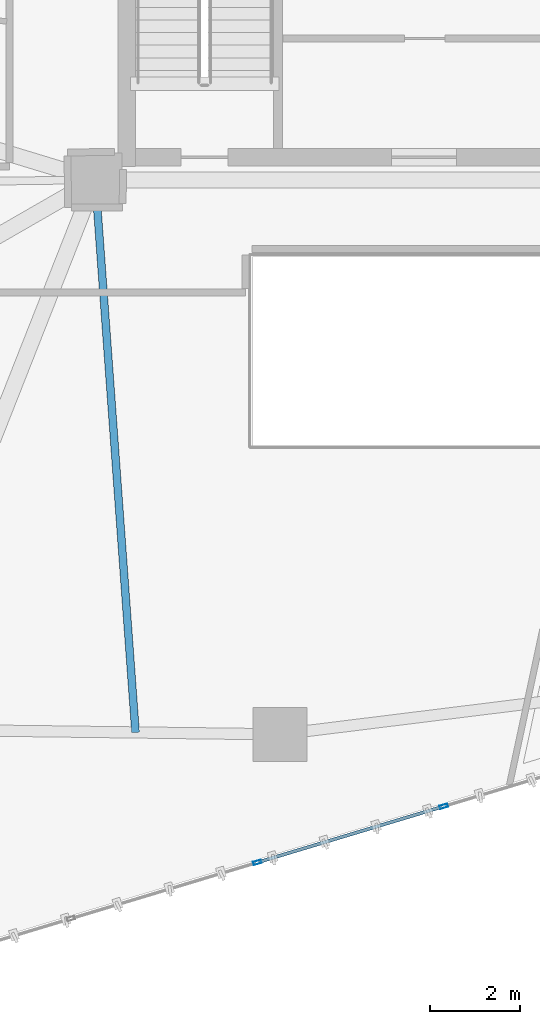
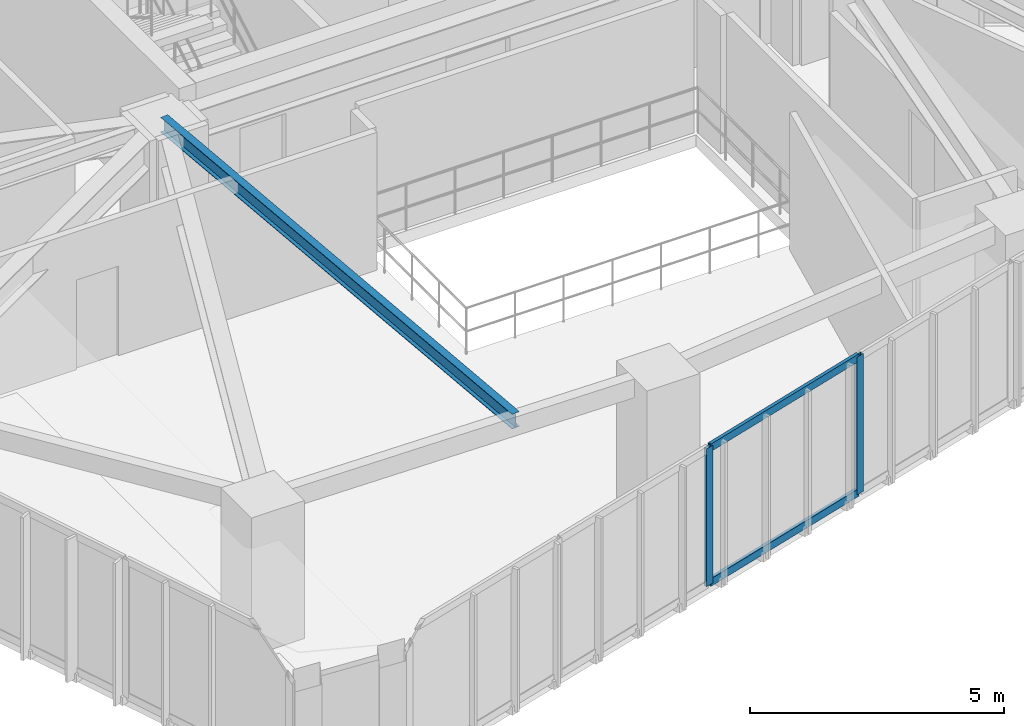
# One storey, part 4 of 21: 4 members, 1 beam, 1 element without a shape of its own.
"""IFC4 building model written with IfcOpenShell, lengths in metres."""

from ifc_helpers import new_model, si_unit, direction, frame, origin, origin_2d, place, context, subcontext, project, spatial, hollow_rectangle, i_section, extrude, source, transform, mapped, material, layer, layer_set, material_profile, profile_set, type_object, type_shapes, element, aggregate, save


model = new_model("IFC4")

# Units and contexts
model_context = context("Model", 3, precision=1e-05, world=origin(), true_north=direction((0.0, 1.0)))
body_context = subcontext(model_context, "Body", "Model", "MODEL_VIEW")
ifc_project = project(units=[si_unit("LENGTHUNIT", "METRE"), si_unit("AREAUNIT", "SQUARE_METRE"), si_unit("VOLUMEUNIT", "CUBIC_METRE"), si_unit("PLANEANGLEUNIT", "RADIAN"), si_unit("MASSUNIT", "GRAM", prefix="KILO")], contexts=[model_context])

# Site, building, storey
site_placement = place(None, origin())
site = spatial("IfcSite", under=ifc_project, at=site_placement, CompositionType="ELEMENT")
building_placement = place(site_placement, origin())
building = spatial("IfcBuilding", under=site, at=building_placement, Name="Talar Marvaseh", CompositionType="ELEMENT")
storey_placement = place(building_placement, frame((0.0, 0.0, 139.800048828125)))
storey = spatial("IfcBuildingStorey", under=building, at=storey_placement, Name="L36", CompositionType="ELEMENT", Elevation=139.800048828125)

# Beam
ifc_material_1 = material(Name="Steel S355", Category="steel")
ifc_material_profile_1 = material_profile(ifc_material_1, i_section(OverallWidth=0.172119140625, OverallDepth=0.35791015625, WebThickness=0.0078125, FlangeThickness=0.01318359375, at=origin_2d()), Name="W360x57")
ifc_profile_set_1 = profile_set([ifc_material_profile_1], Name="Steel S355")
beam_type = type_object("IfcBeamType", Name="Zone 2 Secondary Floor Joist W360x57", PredefinedType="JOIST", material=ifc_profile_set_1)
beam_placement = place(storey_placement, frame((19.595947265625, 13.224853515625, 3.130859375), z_axis=(-0.07279902415, 0.997346630857, 0.0), x_axis=(-0.997346630857, -0.07279902415, 0.0)))
element("IfcBeam", 1, at=beam_placement, inside=storey, type_object=beam_type, Name="L36 Zone 2 Secondary Floor Joist W360x57", PredefinedType="JOIST", context=body_context, shape_type="SweptSolid", body=[
    extrude(i_section(OverallWidth=0.172119140625, OverallDepth=0.35791015625, WebThickness=0.0078125, FlangeThickness=0.01318359375, at=origin_2d()), origin(), (0.0, 0.0, 1.0), 12.307861328125),
])

# Curtain wall, members
ifc_material_2 = material(Name="Architectural Aluminium", Category="aluminium")
ifc_layer = layer(ifc_material_2, 0.199951171875)
ifc_layer_set = layer_set([ifc_layer], Name="Architectural Aluminium")
curtain_wall_type = type_object("IfcCurtainWallType", Name="Unitised Acoustic Library Curtain Wall Z2", PredefinedType="NOTDEFINED", material=ifc_layer_set)
curtain_wall_placement = place(storey_placement, origin())
curtain_wall = element("IfcCurtainWall", 2, at=curtain_wall_placement, inside=storey, type_object=curtain_wall_type, Name="L36 Unitised Acoustic Library Curtain Wall Z2", PredefinedType="NOTDEFINED")
ifc_material_profile_2 = material_profile(ifc_material_2, hollow_rectangle(XDim=0.074951171875, YDim=0.179931640625, WallThickness=0.0048828125, at=origin_2d()), Name="RHS180x75x5")
ifc_profile_set_2 = profile_set([ifc_material_profile_2], Name="Architectural Aluminium")
member_type_1 = type_object("IfcMemberType", Name="Unitised Curtain Wall Standard Mullion RHS180x75x5", PredefinedType="MULLION", material=ifc_profile_set_2)
shared_shape_1 = source(origin(), body_context, "Body", "SweptSolid", [
    extrude(hollow_rectangle(XDim=0.074951171875, YDim=0.179931640625, WallThickness=0.0048828125, at=origin_2d()), origin(), (0.0, 0.0, 1.0), 3.31005859375),
])
type_shapes(member_type_1, [shared_shape_1])
member_1_placement = place(storey_placement, frame((26.44091796875, 11.58447265625, 0.0), z_axis=(0.0, 0.0, 1.0), x_axis=(0.288342924167, -0.9575272101, 0.0)))
member_1 = element("IfcMember", 3, at=member_1_placement, type_object=member_type_1, Name="CW-Z2 mullion 3", PredefinedType="MULLION", context=body_context, shape_type="MappedRepresentation", body=[
    mapped(shared_shape_1, transform((0.0, 0.0, 0.0), x_axis=(1.0, 0.0, 0.0), y_axis=(0.0, 1.0, 0.0), z_axis=(0.0, 0.0, 1.0), scale=1.0)),
])
member_2_placement = place(storey_placement, frame((22.301025390625, 10.337890625, 0.0), z_axis=(0.0, 0.0, 1.0), x_axis=(0.288342924167, -0.9575272101, 0.0)))
member_2 = element("IfcMember", 4, at=member_2_placement, type_object=member_type_1, Name="CW-Z2 mullion 4", PredefinedType="MULLION", context=body_context, shape_type="MappedRepresentation", body=[
    mapped(shared_shape_1, transform((0.0, 0.0, 0.0), x_axis=(1.0, 0.0, 0.0), y_axis=(0.0, 1.0, 0.0), z_axis=(0.0, 0.0, 1.0), scale=1.0)),
])
ifc_material_profile_3 = material_profile(ifc_material_2, hollow_rectangle(XDim=0.074951171875, YDim=0.179931640625, WallThickness=0.0048828125, at=origin_2d()), Name="RHS180x75x5")
ifc_profile_set_3 = profile_set([ifc_material_profile_3], Name="Architectural Aluminium")
member_type_2 = type_object("IfcMemberType", Name="Unitised Curtain Wall Transom RHS180x75x5", PredefinedType="USERDEFINED", material=ifc_profile_set_3)
shared_shape_2 = source(origin(), body_context, "Body", "SweptSolid", [
    extrude(hollow_rectangle(XDim=0.074951171875, YDim=0.179931640625, WallThickness=0.0048828125, at=origin_2d()), origin(), (0.0, 0.0, 1.0), 4.24853515625),
])
type_shapes(member_type_2, [shared_shape_2])
member_3_placement = place(storey_placement, frame((26.405029296875, 11.57373046875, 0.037353515625), z_axis=(-0.957523674213, -0.288354665858, 0.0), x_axis=(0.288354665858, -0.957523674213, 0.0)))
member_3 = element("IfcMember", 5, at=member_3_placement, type_object=member_type_2, Name="CW-Z2 transom 3.1", ObjectType="TRANSOM", PredefinedType="USERDEFINED", context=body_context, shape_type="MappedRepresentation", body=[
    mapped(shared_shape_2, transform((0.0, 0.0, 0.0), x_axis=(1.0, 0.0, 0.0), y_axis=(0.0, 1.0, 0.0), z_axis=(0.0, 0.0, 1.0), scale=1.0)),
])
member_4_placement = place(storey_placement, frame((26.405029296875, 11.57373046875, 3.2724609375), z_axis=(-0.957523674213, -0.288354665858, 0.0), x_axis=(0.288354665858, -0.957523674213, 0.0)))
member_4 = element("IfcMember", 6, at=member_4_placement, type_object=member_type_2, Name="CW-Z2 transom 3.2", ObjectType="TRANSOM", PredefinedType="USERDEFINED", context=body_context, shape_type="MappedRepresentation", body=[
    mapped(shared_shape_2, transform((0.0, 0.0, 0.0), x_axis=(1.0, 0.0, 0.0), y_axis=(0.0, 1.0, 0.0), z_axis=(0.0, 0.0, 1.0), scale=1.0)),
])
aggregate(curtain_wall, [member_1, member_2, member_3, member_4])

save(model, "model.ifc")
